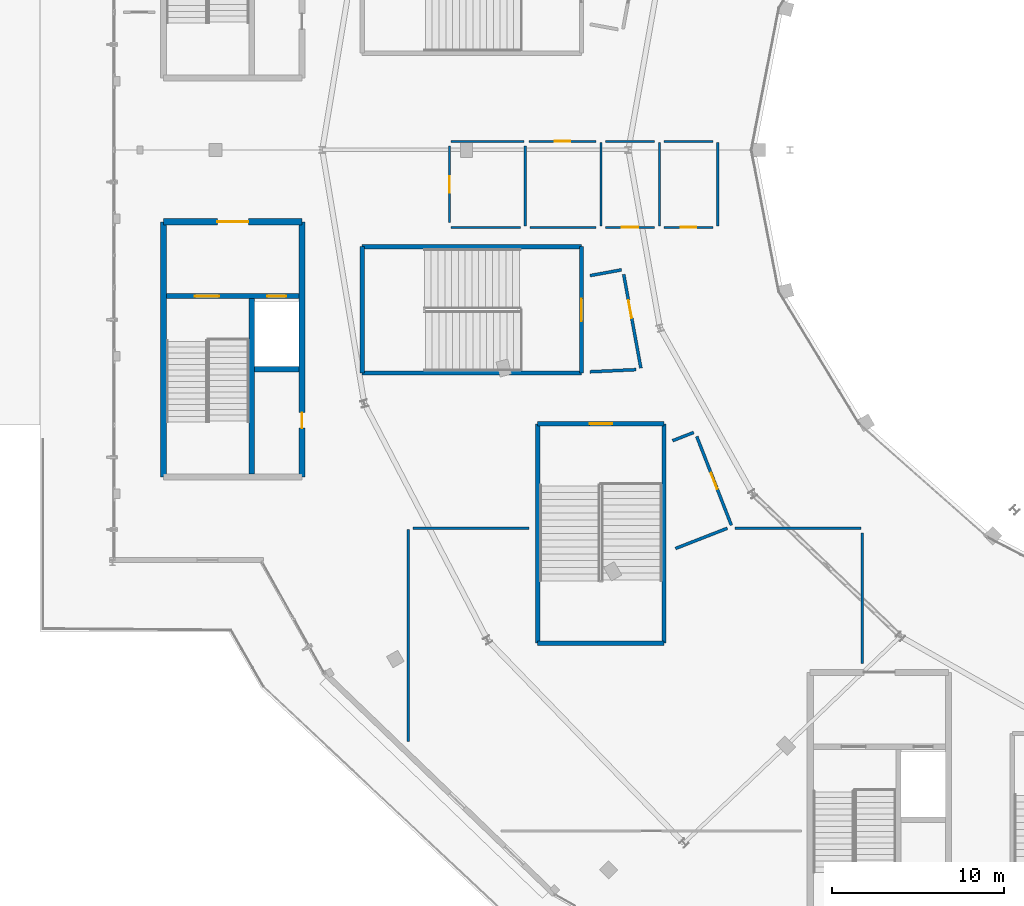
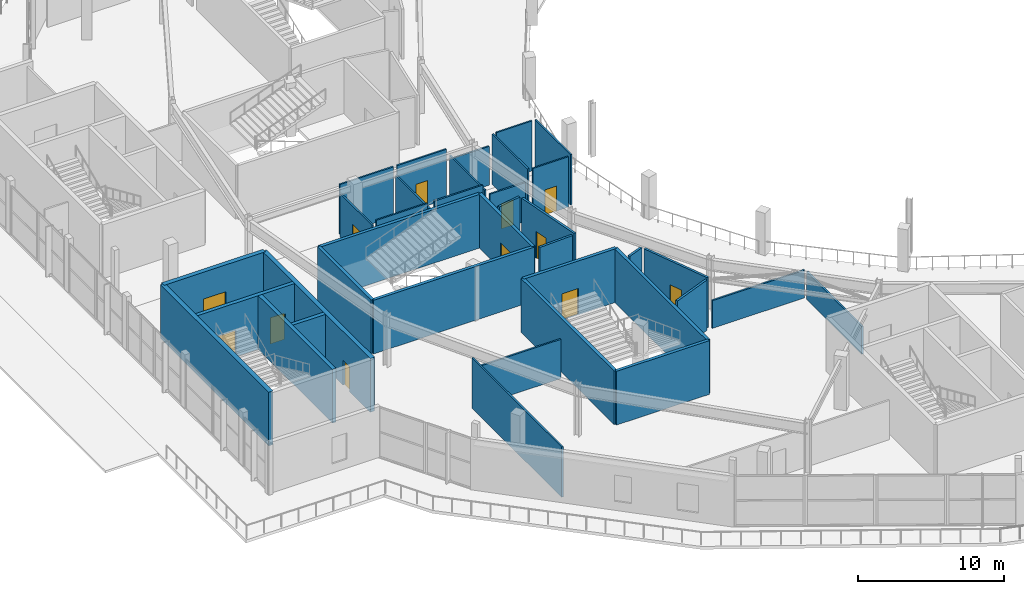
# One storey, part 86 of 123: 37 walls, 12 doors, 12 openings.
"""IFC4 building model written with IfcOpenShell, lengths in metres."""

from ifc_helpers import new_model, si_unit, direction, frame, frame_2d, origin, place, context, subcontext, project, spatial, rectangle, extrude, material, layer, layer_set, type_object, element, fill, save


model = new_model("IFC4")

# Units and contexts
model_context = context("Model", 3, precision=1e-05, world=origin(), true_north=direction((0.0, 1.0)))
body_context = subcontext(model_context, "Body", "Model", "MODEL_VIEW")
ifc_project = project(units=[si_unit("LENGTHUNIT", "METRE"), si_unit("AREAUNIT", "SQUARE_METRE"), si_unit("VOLUMEUNIT", "CUBIC_METRE"), si_unit("PLANEANGLEUNIT", "RADIAN"), si_unit("MASSUNIT", "GRAM", prefix="KILO")], contexts=[model_context])

# Site, building, storey
site_placement = place(None, origin())
site = spatial("IfcSite", under=ifc_project, at=site_placement, CompositionType="ELEMENT")
building_placement = place(site_placement, origin())
building = spatial("IfcBuilding", under=site, at=building_placement, Name="Kalgoora Escarpment Arena", CompositionType="ELEMENT")
storey_placement = place(building_placement, frame((0.0, 0.0, 9.89990234375)))
storey = spatial("IfcBuildingStorey", under=building, at=storey_placement, Name="L02", CompositionType="ELEMENT", Elevation=9.89990234375)

# Wall, opening, door
ifc_material_1 = material(Name="Concrete N50 (fc' 50 MPa)", Category="concrete")
ifc_layer_1 = layer(ifc_material_1, 0.35009765625)
ifc_layer_set_1 = layer_set([ifc_layer_1], Name="WAL-CORE-350")
wall_type_1 = type_object("IfcWallType", Name="WAL-CORE-350", PredefinedType="SHEAR", material=ifc_layer_set_1)
wall_1_placement = place(storey_placement, frame((11.375, 59.824951171875, 0.0), z_axis=(0.0, 0.0, 1.0), x_axis=(1.0, 0.0, 0.0)))
wall_1 = element("IfcWall", 1, at=wall_1_placement, inside=storey, type_object=wall_type_1, Name="Core C2 L02 north lobby wall", PredefinedType="SHEAR", context=body_context, shape_type="SweptSolid", body=[
    extrude(rectangle(XDim=8.050048828125, YDim=0.35009765625, at=frame_2d((4.02490234375, 0.0))), origin(), (0.0, 0.0, 1.0), 4.5),
])
opening_1_placement = place(wall_1_placement, frame((3.125, 0.0, 0.0)))
opening_1 = element("IfcOpeningElement", 2, at=opening_1_placement, cuts=wall_1, Name="Opening FD-C2L", PredefinedType="OPENING", context=body_context, shape_type="SweptSolid", body=[
    extrude(rectangle(XDim=1.800048828125, YDim=2.25, at=frame_2d((0.89990234375, 1.125))), frame((0.0, 0.18505859375, 0.0), z_axis=(0.0, -1.0, 0.0), x_axis=(1.0, 0.0, 0.0)), (0.0, 0.0, 1.0), 0.3701171875),
])
ifc_material_2 = material(Name="Double fire-rated smoke-seal lobby door")
door_type_1 = type_object("IfcDoorType", Name="DR-LOBBY-1800", OperationType="NOTDEFINED", PredefinedType="DOOR", material=ifc_material_2)
door_1_placement = place(opening_1_placement, origin())
door_1 = element("IfcDoor", 3, at=door_1_placement, inside=storey, type_object=door_type_1, Name="Core C2 L02 smoke-lobby fire door", OperationType="DOUBLE_DOOR_SINGLE_SWING", OverallHeight=2.25, OverallWidth=1.800048828125, PredefinedType="DOOR", context=body_context, shape_type="SweptSolid", body=[
    extrude(rectangle(XDim=1.800048828125, YDim=2.25, at=frame_2d((0.89990234375, 1.125))), frame((0.0, 0.02490234375, 0.0), z_axis=(0.0, -1.0, 0.0), x_axis=(1.0, 0.0, 0.0)), (0.0, 0.0, 1.0), 0.050048828125),
])
fill(opening_1, door_1)

# Wall
wall_2_placement = place(storey_placement, frame((11.375, 44.97509765625, 0.0), z_axis=(0.0, 0.0, 1.0), x_axis=(0.0, 1.0, 0.0)))
element("IfcWall", 4, at=wall_2_placement, inside=storey, type_object=wall_type_1, Name="Core C2 L02 west shear wall", PredefinedType="SHEAR", context=body_context, shape_type="SweptSolid", body=[
    extrude(rectangle(XDim=14.849853515625, YDim=0.35009765625, at=frame_2d((7.4248046875, 0.0))), origin(), (0.0, 0.0, 1.0), 4.5),
])

# Wall, opening, door
wall_3_placement = place(storey_placement, frame((19.425048828125, 44.97509765625, 0.0), z_axis=(0.0, 0.0, 1.0), x_axis=(0.0, 1.0, 0.0)))
wall_3 = element("IfcWall", 5, at=wall_3_placement, inside=storey, type_object=wall_type_1, Name="Core C2 L02 east shear wall", PredefinedType="SHEAR", context=body_context, shape_type="SweptSolid", body=[
    extrude(rectangle(XDim=14.849853515625, YDim=0.35009765625, at=frame_2d((7.4248046875, 0.0))), origin(), (0.0, 0.0, 1.0), 4.5),
])
opening_2_placement = place(wall_3_placement, frame((2.85498046875, 0.0, 0.0)))
opening_2 = element("IfcOpeningElement", 6, at=opening_2_placement, cuts=wall_3, Name="Opening FD-C2R", PredefinedType="OPENING", context=body_context, shape_type="SweptSolid", body=[
    extrude(rectangle(XDim=0.89990234375, YDim=2.10009765625, at=frame_2d((0.449951171875, 1.050048828125))), frame((0.0, 0.18505859375, 0.0), z_axis=(0.0, -1.0, 0.0), x_axis=(1.0, 0.0, 0.0)), (0.0, 0.0, 1.0), 0.3701171875),
])
ifc_material_3 = material(Name="Fire-rated steel riser access door", Category="steel")
door_type_2 = type_object("IfcDoorType", Name="DR-RISER-0900", OperationType="NOTDEFINED", PredefinedType="DOOR", material=ifc_material_3)
door_2_placement = place(opening_2_placement, origin())
door_2 = element("IfcDoor", 7, at=door_2_placement, inside=storey, type_object=door_type_2, Name="Core C2 L02 riser cupboard access door", OperationType="SINGLE_SWING_RIGHT", OverallHeight=2.10009765625, OverallWidth=0.89990234375, PredefinedType="DOOR", context=body_context, shape_type="SweptSolid", body=[
    extrude(rectangle(XDim=0.89990234375, YDim=2.10009765625, at=frame_2d((0.449951171875, 1.050048828125))), frame((0.0, 0.02490234375, 0.0), z_axis=(0.0, -1.0, 0.0), x_axis=(1.0, 0.0, 0.0)), (0.0, 0.0, 1.0), 0.050048828125),
])
fill(opening_2, door_2)

# Walls
ifc_material_4 = material(Name="Hospitality acoustic drywall partition", Category="gypsum")
ifc_layer_2 = layer(ifc_material_4, 0.135009765625)
ifc_layer_set_2 = layer_set([ifc_layer_2], Name="WAL-DIN-135")
wall_type_2 = type_object("IfcWallType", Name="WAL-DIN-135", PredefinedType="PARTITIONING", material=ifc_layer_set_2)
wall_4_placement = place(storey_placement, frame((44.595458984375, 42.0, 0.0), z_axis=(0.0, 0.0, 1.0), x_axis=(1.0, 0.0, 0.0)))
element("IfcWall", 8, at=wall_4_placement, inside=storey, type_object=wall_type_2, Name="L02 Goldfields Wine Tasting Room partition wall", PredefinedType="PARTITIONING", context=body_context, shape_type="SweptSolid", body=[
    extrude(rectangle(XDim=7.324462890625, YDim=0.135009765625, at=frame_2d((3.662109375, 0.0))), origin(), (0.0, 0.0, 1.0), 2.322998046875),
])
wall_5_placement = place(storey_placement, frame((52.0, 41.715087890625, 0.0), z_axis=(0.0, 0.0, 1.0), x_axis=(0.0, -1.0, 0.0)))
element("IfcWall", 9, at=wall_5_placement, inside=storey, type_object=wall_type_2, Name="L02 Goldfields Wine Tasting Room partition wall", PredefinedType="PARTITIONING", context=body_context, shape_type="SweptSolid", body=[
    extrude(rectangle(XDim=7.590087890625, YDim=0.135009765625, at=frame_2d((3.794921875, 0.0))), origin(), (0.0, 0.0, 1.0), 2.322998046875),
])
wall_6_placement = place(storey_placement, frame((25.60009765625, 29.596923828125, 0.0), z_axis=(0.0, 0.0, 1.0), x_axis=(0.0, 1.0, 0.0)))
element("IfcWall", 10, at=wall_6_placement, inside=storey, type_object=wall_type_2, Name="L02 Goldfields Wine Tasting Room partition wall", PredefinedType="PARTITIONING", context=body_context, shape_type="SweptSolid", body=[
    extrude(rectangle(XDim=12.322998046875, YDim=0.135009765625, at=frame_2d((6.16162109375, 0.0))), origin(), (0.0, 0.0, 1.0), 4.22021484375),
])
wall_7_placement = place(storey_placement, frame((25.884765625, 42.0, 0.0), z_axis=(0.0, 0.0, 1.0), x_axis=(1.0, 0.0, 0.0)))
element("IfcWall", 11, at=wall_7_placement, inside=storey, type_object=wall_type_2, Name="L02 Goldfields Wine Tasting Room partition wall", PredefinedType="PARTITIONING", context=body_context, shape_type="SweptSolid", body=[
    extrude(rectangle(XDim=6.740234375, YDim=0.135009765625, at=frame_2d((3.3701171875, 0.0))), origin(), (0.0, 0.0, 1.0), 3.28515625),
])

# Wall, openings, doors
ifc_material_5 = material(Name="Concrete N50 (fc' 50 MPa)", Category="concrete")
ifc_layer_3 = layer(ifc_material_5, 0.300048828125)
ifc_layer_set_3 = layer_set([ifc_layer_3], Name="WAL-SHAFT-300")
wall_type_3 = type_object("IfcWallType", Name="WAL-SHAFT-300", PredefinedType="SHEAR", material=ifc_layer_set_3)
wall_8_placement = place(storey_placement, frame((11.550048828125, 55.5, 0.0), z_axis=(0.0, 0.0, 1.0), x_axis=(1.0, 0.0, 0.0)))
wall_8 = element("IfcWall", 12, at=wall_8_placement, inside=storey, type_object=wall_type_3, Name="Core C2 L02 lobby shaft wall", PredefinedType="SHEAR", context=body_context, shape_type="SweptSolid", body=[
    extrude(rectangle(XDim=7.699951171875, YDim=0.300048828125, at=frame_2d((3.85009765625, 0.0))), origin(), (0.0, 0.0, 1.0), 4.5),
])
opening_3_placement = place(wall_8_placement, frame((1.64990234375, 0.0, 0.0)))
opening_3 = element("IfcOpeningElement", 13, at=opening_3_placement, cuts=wall_8, Name="Opening FD-ST02", PredefinedType="OPENING", context=body_context, shape_type="SweptSolid", body=[
    extrude(rectangle(XDim=1.39990234375, YDim=2.199951171875, at=frame_2d((0.699951171875, 1.10009765625))), frame((0.0, 0.159912109375, 0.0), z_axis=(0.0, -1.0, 0.0), x_axis=(1.0, 0.0, 0.0)), (0.0, 0.0, 1.0), 0.320068359375),
])
opening_4_placement = place(wall_8_placement, frame((5.85009765625, 0.0, 0.0)))
opening_4 = element("IfcOpeningElement", 14, at=opening_4_placement, cuts=wall_8, Name="Opening LD-EL2", PredefinedType="OPENING", context=body_context, shape_type="SweptSolid", body=[
    extrude(rectangle(XDim=1.10009765625, YDim=2.199951171875, at=frame_2d((0.550048828125, 1.10009765625))), frame((0.0, 0.159912109375, 0.0), z_axis=(0.0, -1.0, 0.0), x_axis=(1.0, 0.0, 0.0)), (0.0, 0.0, 1.0), 0.320068359375),
])
ifc_material_6 = material(Name="Brushed stainless steel sliding lift landing door", Category="steel")
door_type_3 = type_object("IfcDoorType", Name="DR-LD-EL2", OperationType="SLIDING_TO_LEFT", PredefinedType="DOOR", material=ifc_material_6)
door_3_placement = place(opening_4_placement, origin())
door_3 = element("IfcDoor", 15, at=door_3_placement, inside=storey, type_object=door_type_3, Name="Lift EL2 L02 sliding landing door", OperationType="SLIDING_TO_LEFT", OverallHeight=2.199951171875, OverallWidth=1.10009765625, PredefinedType="DOOR", context=body_context, shape_type="SweptSolid", body=[
    extrude(rectangle(XDim=1.10009765625, YDim=2.199951171875, at=frame_2d((0.550048828125, 1.10009765625))), frame((0.0, 0.02490234375, 0.0), z_axis=(0.0, -1.0, 0.0), x_axis=(1.0, 0.0, 0.0)), (0.0, 0.0, 1.0), 0.050048828125),
])
fill(opening_4, door_3)
ifc_material_7 = material(Name="Fire-rated steel stair leaf with vision panel", Category="steel")
door_type_4 = type_object("IfcDoorType", Name="DR-STAIR-1400", OperationType="NOTDEFINED", PredefinedType="DOOR", material=ifc_material_7)
door_4_placement = place(opening_3_placement, origin())
door_4 = element("IfcDoor", 16, at=door_4_placement, inside=storey, type_object=door_type_4, Name="Fire stair ST02 L02 fire door", OperationType="SINGLE_SWING_LEFT", OverallHeight=2.199951171875, OverallWidth=1.39990234375, PredefinedType="DOOR", context=body_context, shape_type="SweptSolid", body=[
    extrude(rectangle(XDim=1.39990234375, YDim=2.199951171875, at=frame_2d((0.699951171875, 1.10009765625))), frame((0.0, 0.02490234375, 0.0), z_axis=(0.0, -1.0, 0.0), x_axis=(1.0, 0.0, 0.0)), (0.0, 0.0, 1.0), 0.050048828125),
])
fill(opening_3, door_4)

# Walls
wall_9_placement = place(storey_placement, frame((16.5, 45.14990234375, 0.0), z_axis=(0.0, 0.0, 1.0), x_axis=(0.0, 1.0, 0.0)))
element("IfcWall", 17, at=wall_9_placement, inside=storey, type_object=wall_type_3, Name="Core C2 L02 stair-lift spine wall", PredefinedType="SHEAR", context=body_context, shape_type="SweptSolid", body=[
    extrude(rectangle(XDim=10.35009765625, YDim=0.300048828125, at=frame_2d((5.175048828125, 0.0))), origin(), (0.0, 0.0, 1.0), 4.5),
])
wall_10_placement = place(storey_placement, frame((16.64990234375, 51.25, 0.0), z_axis=(0.0, 0.0, 1.0), x_axis=(1.0, 0.0, 0.0)))
element("IfcWall", 18, at=wall_10_placement, inside=storey, type_object=wall_type_3, Name="Core C2 L02 lift-riser divider wall", PredefinedType="SHEAR", context=body_context, shape_type="SweptSolid", body=[
    extrude(rectangle(XDim=2.60009765625, YDim=0.300048828125, at=frame_2d((1.300048828125, 0.0))), origin(), (0.0, 0.0, 1.0), 4.5),
])
ifc_material_8 = material(Name="Concrete N50 (fc' 50 MPa)", Category="concrete")
ifc_layer_4 = layer(ifc_material_8, 0.25)
ifc_layer_set_4 = layer_set([ifc_layer_4], Name="WAL-STAIR-250")
wall_type_4 = type_object("IfcWallType", Name="WAL-STAIR-250", PredefinedType="SHEAR", material=ifc_layer_set_4)
for number, where, z_axis, x_axis, name in (
    (19, (22.925048828125, 51.02490234375, 0.0), (0.0, 0.0, 1.0), (1.0, 0.0, 0.0), "Exit stair ST18 L02 south wall"),
    (20, (22.925048828125, 58.375, 0.0), (0.0, 0.0, 1.0), (1.0, 0.0, 0.0), "Exit stair ST18 L02 north wall"),
):
    element("IfcWall", number, at=place(storey_placement, frame(where, z_axis=z_axis, x_axis=x_axis)), inside=storey, type_object=wall_type_4, Name=name, PredefinedType="SHEAR", context=body_context, shape_type="SweptSolid", body=[
        extrude(rectangle(XDim=12.75, YDim=0.25, at=frame_2d((6.375, 0.0))), origin(), (0.0, 0.0, 1.0), 4.5),
    ])
wall_11_placement = place(storey_placement, frame((22.925048828125, 51.02490234375, 0.0), z_axis=(0.0, 0.0, 1.0), x_axis=(0.0, 1.0, 0.0)))
element("IfcWall", 21, at=wall_11_placement, inside=storey, type_object=wall_type_4, Name="Exit stair ST18 L02 west wall", PredefinedType="SHEAR", context=body_context, shape_type="SweptSolid", body=[
    extrude(rectangle(XDim=7.35009765625, YDim=0.25, at=frame_2d((3.675048828125, 0.0))), origin(), (0.0, 0.0, 1.0), 4.5),
])

# Wall, opening, door
wall_12_placement = place(storey_placement, frame((35.675048828125, 51.02490234375, 0.0), z_axis=(0.0, 0.0, 1.0), x_axis=(0.0, 1.0, 0.0)))
wall_12 = element("IfcWall", 22, at=wall_12_placement, inside=storey, type_object=wall_type_4, Name="Exit stair ST18 L02 east wall", PredefinedType="SHEAR", context=body_context, shape_type="SweptSolid", body=[
    extrude(rectangle(XDim=7.35009765625, YDim=0.25, at=frame_2d((3.675048828125, 0.0))), origin(), (0.0, 0.0, 1.0), 4.5),
])
opening_5_placement = place(wall_12_placement, frame((3.014892578125, 0.0, 0.0)))
opening_5 = element("IfcOpeningElement", 23, at=opening_5_placement, cuts=wall_12, Name="Opening FD-ST18", PredefinedType="OPENING", context=body_context, shape_type="SweptSolid", body=[
    extrude(rectangle(XDim=1.320068359375, YDim=2.199951171875, at=frame_2d((0.66015625, 1.10009765625))), frame((0.0, 0.135009765625, 0.0), z_axis=(0.0, -1.0, 0.0), x_axis=(1.0, 0.0, 0.0)), (0.0, 0.0, 1.0), 0.27001953125),
])
ifc_material_9 = material(Name="Fire-rated steel stair leaf with vision panel", Category="steel")
door_type_5 = type_object("IfcDoorType", Name="DR-STAIR-1320", OperationType="NOTDEFINED", PredefinedType="DOOR", material=ifc_material_9)
door_5_placement = place(opening_5_placement, origin())
door_5 = element("IfcDoor", 24, at=door_5_placement, inside=storey, type_object=door_type_5, Name="Fire-isolated stair ST18 L02 egress door", OperationType="SINGLE_SWING_RIGHT", OverallHeight=2.199951171875, OverallWidth=1.320068359375, PredefinedType="DOOR", context=body_context, shape_type="SweptSolid", body=[
    extrude(rectangle(XDim=1.320068359375, YDim=2.199951171875, at=frame_2d((0.66015625, 1.10009765625))), frame((0.0, 0.02490234375, 0.0), z_axis=(0.0, -1.0, 0.0), x_axis=(1.0, 0.0, 0.0)), (0.0, 0.0, 1.0), 0.050048828125),
])
fill(opening_5, door_5)

# Wall
wall_13_placement = place(storey_placement, frame((33.125, 35.324951171875, 0.0), z_axis=(0.0, 0.0, 1.0), x_axis=(1.0, 0.0, 0.0)))
element("IfcWall", 25, at=wall_13_placement, inside=storey, type_object=wall_type_4, Name="Exit stair ST20 L02 south wall", PredefinedType="SHEAR", context=body_context, shape_type="SweptSolid", body=[
    extrude(rectangle(XDim=7.35009765625, YDim=0.25, at=frame_2d((3.675048828125, 0.0))), origin(), (0.0, 0.0, 1.0), 4.5),
])

# Wall, opening, door
wall_14_placement = place(storey_placement, frame((33.125, 48.074951171875, 0.0), z_axis=(0.0, 0.0, 1.0), x_axis=(1.0, 0.0, 0.0)))
wall_14 = element("IfcWall", 26, at=wall_14_placement, inside=storey, type_object=wall_type_4, Name="Exit stair ST20 L02 north wall", PredefinedType="SHEAR", context=body_context, shape_type="SweptSolid", body=[
    extrude(rectangle(XDim=7.35009765625, YDim=0.25, at=frame_2d((3.675048828125, 0.0))), origin(), (0.0, 0.0, 1.0), 4.5),
])
opening_6_placement = place(wall_14_placement, frame((3.014892578125, 0.0, 0.0)))
opening_6 = element("IfcOpeningElement", 27, at=opening_6_placement, cuts=wall_14, Name="Opening FD-ST20", PredefinedType="OPENING", context=body_context, shape_type="SweptSolid", body=[
    extrude(rectangle(XDim=1.320068359375, YDim=2.199951171875, at=frame_2d((0.66015625, 1.10009765625))), frame((0.0, 0.135009765625, 0.0), z_axis=(0.0, -1.0, 0.0), x_axis=(1.0, 0.0, 0.0)), (0.0, 0.0, 1.0), 0.27001953125),
])
door_6_placement = place(opening_6_placement, origin())
door_6 = element("IfcDoor", 28, at=door_6_placement, inside=storey, type_object=door_type_5, Name="Fire-isolated stair ST20 L02 egress door", OperationType="SINGLE_SWING_RIGHT", OverallHeight=2.199951171875, OverallWidth=1.320068359375, PredefinedType="DOOR", context=body_context, shape_type="SweptSolid", body=[
    extrude(rectangle(XDim=1.320068359375, YDim=2.199951171875, at=frame_2d((0.66015625, 1.10009765625))), frame((0.0, 0.02490234375, 0.0), z_axis=(0.0, -1.0, 0.0), x_axis=(1.0, 0.0, 0.0)), (0.0, 0.0, 1.0), 0.050048828125),
])
fill(opening_6, door_6)

# Walls
for number, where, z_axis, x_axis, name in (
    (29, (33.125, 35.324951171875, 0.0), (0.0, 0.0, 1.0), (0.0, 1.0, 0.0), "Exit stair ST20 L02 west wall"),
    (30, (40.47509765625, 35.324951171875, 0.0), (0.0, 0.0, 1.0), (0.0, 1.0, 0.0), "Exit stair ST20 L02 east wall"),
):
    element("IfcWall", number, at=place(storey_placement, frame(where, z_axis=z_axis, x_axis=x_axis)), inside=storey, type_object=wall_type_4, Name=name, PredefinedType="SHEAR", context=body_context, shape_type="SweptSolid", body=[
        extrude(rectangle(XDim=12.75, YDim=0.25, at=frame_2d((6.375, 0.0))), origin(), (0.0, 0.0, 1.0), 4.5),
    ])
ifc_material_10 = material(Name="Twin-stud acoustic plasterboard FRL -/60/60", Category="gypsum")
ifc_layer_5 = layer(ifc_material_10, 0.175048828125)
ifc_layer_set_5 = layer_set([ifc_layer_5], Name="WAL-SUITE-175")
wall_type_5 = type_object("IfcWallType", Name="WAL-SUITE-175", PredefinedType="PARTITIONING", material=ifc_layer_set_5)
wall_15_placement = place(storey_placement, frame((36.173583984375, 56.69287109375, 0.0), z_axis=(0.0, 0.0, 1.0), x_axis=(0.983605779692, 0.180332110719, 0.0)))
element("IfcWall", 31, at=wall_15_placement, inside=storey, type_object=wall_type_5, Name="L02 Hospitality Suite HS11 partition wall", PredefinedType="PARTITIONING", context=body_context, shape_type="SweptSolid", body=[
    extrude(rectangle(XDim=1.856201171875, YDim=0.175048828125, at=frame_2d((0.92822265625, 0.0))), origin(), (0.0, 0.0, 1.0), 4.22021484375),
])

# Wall, opening, door
wall_16_placement = place(storey_placement, frame((38.129150390625, 56.76171875, 0.0), z_axis=(0.0, 0.0, 1.0), x_axis=(0.180305821673, -0.983610599104, 0.0)))
wall_16 = element("IfcWall", 32, at=wall_16_placement, inside=storey, type_object=wall_type_5, Name="L02 Hospitality Suite HS11 partition wall", PredefinedType="PARTITIONING", context=body_context, shape_type="SweptSolid", body=[
    extrude(rectangle(XDim=5.535400390625, YDim=0.175048828125, at=frame_2d((2.767578125, 0.0))), origin(), (0.0, 0.0, 1.0), 4.22021484375),
])
opening_7_placement = place(wall_16_placement, frame((1.52490234375, 0.0, 0.0)))
opening_7 = element("IfcOpeningElement", 33, at=opening_7_placement, cuts=wall_16, Name="Opening FD-I086", PredefinedType="OPENING", context=body_context, shape_type="SweptSolid", body=[
    extrude(rectangle(XDim=1.050048828125, YDim=2.25, at=frame_2d((0.52490234375, 1.125))), frame((0.0, 0.097412109375, 0.0), z_axis=(0.0, -1.0, 0.0), x_axis=(1.0, 0.0, 0.0)), (0.0, 0.0, 1.0), 0.195068359375),
])
ifc_material_11 = material(Name="Veneered timber acoustic suite entrance door", Category="wood")
door_type_6 = type_object("IfcDoorType", Name="DR-SUITE-1050", OperationType="NOTDEFINED", PredefinedType="DOOR", material=ifc_material_11)
door_7_placement = place(opening_7_placement, origin())
door_7 = element("IfcDoor", 34, at=door_7_placement, inside=storey, type_object=door_type_6, Name="Hospitality Suite HS11 entrance door", OperationType="SINGLE_SWING_RIGHT", OverallHeight=2.25, OverallWidth=1.050048828125, PredefinedType="DOOR", context=body_context, shape_type="SweptSolid", body=[
    extrude(rectangle(XDim=1.050048828125, YDim=2.25, at=frame_2d((0.52490234375, 1.125))), frame((0.0, 0.02490234375, 0.0), z_axis=(0.0, -1.0, 0.0), x_axis=(1.0, 0.0, 0.0)), (0.0, 0.0, 1.0), 0.050048828125),
])
fill(opening_7, door_7)

# Walls
wall_17_placement = place(storey_placement, frame((38.84619140625, 51.224853515625, 0.0), z_axis=(0.0, 0.0, 1.0), x_axis=(-0.998919790454, -0.046467754829, 0.0)))
element("IfcWall", 35, at=wall_17_placement, inside=storey, type_object=wall_type_5, Name="L02 Hospitality Suite HS11 partition wall", PredefinedType="PARTITIONING", context=body_context, shape_type="SweptSolid", body=[
    extrude(rectangle(XDim=2.67431640625, YDim=0.175048828125, at=frame_2d((1.337158203125, 0.0))), origin(), (0.0, 0.0, 1.0), 4.22021484375),
])
wall_18_placement = place(storey_placement, frame((40.969482421875, 47.0927734375, 0.0), z_axis=(0.0, 0.0, 1.0), x_axis=(0.931545516187, 0.363624739632, 0.0)))
element("IfcWall", 36, at=wall_18_placement, inside=storey, type_object=wall_type_5, Name="L02 Hospitality Suite HS12 partition wall", PredefinedType="PARTITIONING", context=body_context, shape_type="SweptSolid", body=[
    extrude(rectangle(XDim=1.3193359375, YDim=0.175048828125, at=frame_2d((0.65966796875, 0.0))), origin(), (0.0, 0.0, 1.0), 4.22021484375),
])

# Wall, opening, door
wall_19_placement = place(storey_placement, frame((42.376708984375, 47.336181640625, 0.0), z_axis=(0.0, 0.0, 1.0), x_axis=(0.363567692335, -0.931567782338, 0.0)))
wall_19 = element("IfcWall", 37, at=wall_19_placement, inside=storey, type_object=wall_type_5, Name="L02 Hospitality Suite HS12 partition wall", PredefinedType="PARTITIONING", context=body_context, shape_type="SweptSolid", body=[
    extrude(rectangle(XDim=5.535400390625, YDim=0.175048828125, at=frame_2d((2.767578125, 0.0))), origin(), (0.0, 0.0, 1.0), 4.22021484375),
])
opening_8_placement = place(wall_19_placement, frame((2.267578125, 0.0, 0.0)))
opening_8 = element("IfcOpeningElement", 38, at=opening_8_placement, cuts=wall_19, Name="Opening FD-I087", PredefinedType="OPENING", context=body_context, shape_type="SweptSolid", body=[
    extrude(rectangle(XDim=1.0, YDim=2.199951171875, at=frame_2d((0.5, 1.10009765625))), frame((0.0, 0.097412109375, 0.0), z_axis=(0.0, -1.0, 0.0), x_axis=(1.0, 0.0, 0.0)), (0.0, 0.0, 1.0), 0.195068359375),
])
ifc_material_12 = material(Name="Veneered timber acoustic suite entrance door", Category="wood")
door_type_7 = type_object("IfcDoorType", Name="DR-SUITE-1000", OperationType="NOTDEFINED", PredefinedType="DOOR", material=ifc_material_12)
door_8_placement = place(opening_8_placement, origin())
door_8 = element("IfcDoor", 39, at=door_8_placement, inside=storey, type_object=door_type_7, Name="Hospitality Suite HS12 entrance door", OperationType="SINGLE_SWING_LEFT", OverallHeight=2.199951171875, OverallWidth=1.0, PredefinedType="DOOR", context=body_context, shape_type="SweptSolid", body=[
    extrude(rectangle(XDim=1.0, YDim=2.199951171875, at=frame_2d((0.5, 1.10009765625))), frame((0.0, 0.02490234375, 0.0), z_axis=(0.0, -1.0, 0.0), x_axis=(1.0, 0.0, 0.0)), (0.0, 0.0, 1.0), 0.050048828125),
])
fill(opening_8, door_8)

# Walls
wall_20_placement = place(storey_placement, frame((44.153076171875, 42.001708984375, 0.0), z_axis=(0.0, 0.0, 1.0), x_axis=(-0.931566399229, -0.363571236248, 0.0)))
element("IfcWall", 40, at=wall_20_placement, inside=storey, type_object=wall_type_5, Name="L02 Hospitality Suite HS12 partition wall", PredefinedType="PARTITIONING", context=body_context, shape_type="SweptSolid", body=[
    extrude(rectangle(XDim=3.2353515625, YDim=0.175048828125, at=frame_2d((1.61767578125, 0.0))), origin(), (0.0, 0.0, 1.0), 4.22021484375),
])
ifc_material_13 = material(Name="Moisture-resistant wet-area partition", Category="gypsum")
ifc_layer_6 = layer(ifc_material_13, 0.125)
ifc_layer_set_6 = layer_set([ifc_layer_6], Name="WAL-WC-125")
wall_type_6 = type_object("IfcWallType", Name="WAL-WC-125", PredefinedType="PARTITIONING", material=ifc_layer_set_6)
wall_21_placement = place(storey_placement, frame((28.080078125, 64.5, 0.0), z_axis=(0.0, 0.0, 1.0), x_axis=(1.0, 0.0, 0.0)))
element("IfcWall", 41, at=wall_21_placement, inside=storey, type_object=wall_type_6, Name="L02 Male WC 1 partition wall", PredefinedType="PARTITIONING", context=body_context, shape_type="SweptSolid", body=[
    extrude(rectangle(XDim=4.239990234375, YDim=0.125, at=frame_2d((2.1201171875, 0.0))), origin(), (0.0, 0.0, 1.0), 4.190185546875),
])
wall_22_placement = place(storey_placement, frame((32.39990234375, 64.215087890625, 0.0), z_axis=(0.0, 0.0, 1.0), x_axis=(0.0, -1.0, 0.0)))
element("IfcWall", 42, at=wall_22_placement, inside=storey, type_object=wall_type_6, Name="L02 Male WC 1 partition wall", PredefinedType="PARTITIONING", context=body_context, shape_type="SweptSolid", body=[
    extrude(rectangle(XDim=4.635009765625, YDim=0.125, at=frame_2d((2.3173828125, 0.0))), origin(), (0.0, 0.0, 1.0), 3.63720703125),
])
wall_23_placement = place(storey_placement, frame((32.115234375, 59.5, 0.0), z_axis=(0.0, 0.0, 1.0), x_axis=(-1.0, 0.0, 0.0)))
element("IfcWall", 43, at=wall_23_placement, inside=storey, type_object=wall_type_6, Name="L02 Male WC 1 partition wall", PredefinedType="PARTITIONING", context=body_context, shape_type="SweptSolid", body=[
    extrude(rectangle(XDim=4.03515625, YDim=0.125, at=frame_2d((2.017578125, 0.0))), origin(), (0.0, 0.0, 1.0), 4.22021484375),
])

# Wall, opening, door
wall_24_placement = place(storey_placement, frame((28.0, 59.784912109375, 0.0), z_axis=(0.0, 0.0, 1.0), x_axis=(0.0, 1.0, 0.0)))
wall_24 = element("IfcWall", 44, at=wall_24_placement, inside=storey, type_object=wall_type_6, Name="L02 Male WC 1 partition wall", PredefinedType="PARTITIONING", context=body_context, shape_type="SweptSolid", body=[
    extrude(rectangle(XDim=4.43017578125, YDim=0.125, at=frame_2d((2.215087890625, 0.0))), origin(), (0.0, 0.0, 1.0), 3.63720703125),
])
opening_9_placement = place(wall_24_placement, frame((1.740234375, 0.0, 0.0)))
opening_9 = element("IfcOpeningElement", 45, at=opening_9_placement, cuts=wall_24, Name="Opening D-I070", PredefinedType="OPENING", context=body_context, shape_type="SweptSolid", body=[
    extrude(rectangle(XDim=0.949951171875, YDim=2.10009765625, at=frame_2d((0.47509765625, 1.050048828125))), frame((0.0, 0.072509765625, 0.0), z_axis=(0.0, -1.0, 0.0), x_axis=(1.0, 0.0, 0.0)), (0.0, 0.0, 1.0), 0.14501953125),
])
ifc_material_14 = material(Name="Moisture-resistant laminate accessible WC door")
door_type_8 = type_object("IfcDoorType", Name="DR-WC-0950", OperationType="NOTDEFINED", PredefinedType="DOOR", material=ifc_material_14)
door_9_placement = place(opening_9_placement, origin())
door_9 = element("IfcDoor", 46, at=door_9_placement, inside=storey, type_object=door_type_8, Name="Male WC 1 entrance door", OperationType="SINGLE_SWING_RIGHT", OverallHeight=2.10009765625, OverallWidth=0.949951171875, PredefinedType="DOOR", context=body_context, shape_type="SweptSolid", body=[
    extrude(rectangle(XDim=0.949951171875, YDim=2.10009765625, at=frame_2d((0.47509765625, 1.050048828125))), frame((0.0, 0.02490234375, 0.0), z_axis=(0.0, -1.0, 0.0), x_axis=(1.0, 0.0, 0.0)), (0.0, 0.0, 1.0), 0.050048828125),
])
fill(opening_9, door_9)

# Walls
wall_25_placement = place(storey_placement, frame((36.800048828125, 64.419921875, 0.0), z_axis=(0.0, 0.0, 1.0), x_axis=(0.0, -1.0, 0.0)))
element("IfcWall", 47, at=wall_25_placement, inside=storey, type_object=wall_type_6, Name="L02 Female WC 1 partition wall", PredefinedType="PARTITIONING", context=body_context, shape_type="SweptSolid", body=[
    extrude(rectangle(XDim=4.83984375, YDim=0.125, at=frame_2d((2.419921875, 0.0))), origin(), (0.0, 0.0, 1.0), 3.63720703125),
])
wall_26_placement = place(storey_placement, frame((36.51513671875, 59.5, 0.0), z_axis=(0.0, 0.0, 1.0), x_axis=(-1.0, 0.0, 0.0)))
element("IfcWall", 48, at=wall_26_placement, inside=storey, type_object=wall_type_6, Name="L02 Female WC 1 partition wall", PredefinedType="PARTITIONING", context=body_context, shape_type="SweptSolid", body=[
    extrude(rectangle(XDim=3.830322265625, YDim=0.125, at=frame_2d((1.9150390625, 0.0))), origin(), (0.0, 0.0, 1.0), 4.22021484375),
])

# Wall, opening, door
wall_27_placement = place(storey_placement, frame((32.6201171875, 64.5, 0.0), z_axis=(0.0, 0.0, 1.0), x_axis=(1.0, 0.0, 0.0)))
wall_27 = element("IfcWall", 49, at=wall_27_placement, inside=storey, type_object=wall_type_6, Name="L02 Female WC 1 partition wall", PredefinedType="PARTITIONING", context=body_context, shape_type="SweptSolid", body=[
    extrude(rectangle(XDim=3.89501953125, YDim=0.125, at=frame_2d((1.947509765625, 0.0))), origin(), (0.0, 0.0, 1.0), 4.190185546875),
])
opening_10_placement = place(wall_27_placement, frame((1.487548828125, 0.0, 0.0)))
opening_10 = element("IfcOpeningElement", 50, at=opening_10_placement, cuts=wall_27, Name="Opening D-I071", PredefinedType="OPENING", context=body_context, shape_type="SweptSolid", body=[
    extrude(rectangle(XDim=0.919921875, YDim=2.10009765625, at=frame_2d((0.4599609375, 1.050048828125))), frame((0.0, 0.072509765625, 0.0), z_axis=(0.0, -1.0, 0.0), x_axis=(1.0, 0.0, 0.0)), (0.0, 0.0, 1.0), 0.14501953125),
])
ifc_material_15 = material(Name="Moisture-resistant laminate WC door")
door_type_9 = type_object("IfcDoorType", Name="DR-WC-0920", OperationType="NOTDEFINED", PredefinedType="DOOR", material=ifc_material_15)
door_10_placement = place(opening_10_placement, origin())
door_10 = element("IfcDoor", 51, at=door_10_placement, inside=storey, type_object=door_type_9, Name="Female WC 1 entrance door", OperationType="SINGLE_SWING_LEFT", OverallHeight=2.10009765625, OverallWidth=0.919921875, PredefinedType="DOOR", context=body_context, shape_type="SweptSolid", body=[
    extrude(rectangle(XDim=0.919921875, YDim=2.10009765625, at=frame_2d((0.4599609375, 1.050048828125))), frame((0.0, 0.02490234375, 0.0), z_axis=(0.0, -1.0, 0.0), x_axis=(1.0, 0.0, 0.0)), (0.0, 0.0, 1.0), 0.050048828125),
])
fill(opening_10, door_10)

# Wall
wall_28_placement = place(storey_placement, frame((40.199951171875, 64.419921875, 0.0), z_axis=(0.0, 0.0, 1.0), x_axis=(0.0, -1.0, 0.0)))
element("IfcWall", 52, at=wall_28_placement, inside=storey, type_object=wall_type_6, Name="L02 Accessible WC 1 partition wall", PredefinedType="PARTITIONING", context=body_context, shape_type="SweptSolid", body=[
    extrude(rectangle(XDim=4.83984375, YDim=0.125, at=frame_2d((2.419921875, 0.0))), origin(), (0.0, 0.0, 1.0), 4.22021484375),
])

# Wall, opening, door
wall_29_placement = place(storey_placement, frame((39.915283203125, 59.5, 0.0), z_axis=(0.0, 0.0, 1.0), x_axis=(-1.0, 0.0, 0.0)))
wall_29 = element("IfcWall", 53, at=wall_29_placement, inside=storey, type_object=wall_type_6, Name="L02 Accessible WC 1 partition wall", PredefinedType="PARTITIONING", context=body_context, shape_type="SweptSolid", body=[
    extrude(rectangle(XDim=2.83056640625, YDim=0.125, at=frame_2d((1.415283203125, 0.0))), origin(), (0.0, 0.0, 1.0), 3.255126953125),
])
opening_11_placement = place(wall_29_placement, frame((0.940185546875, 0.0, 0.0)))
opening_11 = element("IfcOpeningElement", 54, at=opening_11_placement, cuts=wall_29, Name="Opening D-I072", PredefinedType="OPENING", context=body_context, shape_type="SweptSolid", body=[
    extrude(rectangle(XDim=0.949951171875, YDim=2.10009765625, at=frame_2d((0.47509765625, 1.050048828125))), frame((0.0, 0.072509765625, 0.0), z_axis=(0.0, -1.0, 0.0), x_axis=(1.0, 0.0, 0.0)), (0.0, 0.0, 1.0), 0.14501953125),
])
door_11_placement = place(opening_11_placement, origin())
door_11 = element("IfcDoor", 55, at=door_11_placement, inside=storey, type_object=door_type_8, Name="Accessible WC 1 entrance door", OperationType="SINGLE_SWING_RIGHT", OverallHeight=2.10009765625, OverallWidth=0.949951171875, PredefinedType="DOOR", context=body_context, shape_type="SweptSolid", body=[
    extrude(rectangle(XDim=0.949951171875, YDim=2.10009765625, at=frame_2d((0.47509765625, 1.050048828125))), frame((0.0, 0.02490234375, 0.0), z_axis=(0.0, -1.0, 0.0), x_axis=(1.0, 0.0, 0.0)), (0.0, 0.0, 1.0), 0.050048828125),
])
fill(opening_11, door_11)

# Walls
wall_30_placement = place(storey_placement, frame((37.084716796875, 64.5, 0.0), z_axis=(0.0, 0.0, 1.0), x_axis=(1.0, 0.0, 0.0)))
element("IfcWall", 56, at=wall_30_placement, inside=storey, type_object=wall_type_6, Name="L02 Accessible WC 1 partition wall", PredefinedType="PARTITIONING", context=body_context, shape_type="SweptSolid", body=[
    extrude(rectangle(XDim=2.83056640625, YDim=0.125, at=frame_2d((1.415283203125, 0.0))), origin(), (0.0, 0.0, 1.0), 3.255126953125),
])
wall_31_placement = place(storey_placement, frame((43.60009765625, 64.419921875, 0.0), z_axis=(0.0, 0.0, 1.0), x_axis=(0.0, -1.0, 0.0)))
element("IfcWall", 57, at=wall_31_placement, inside=storey, type_object=wall_type_6, Name="L02 Staff WC 1 partition wall", PredefinedType="PARTITIONING", context=body_context, shape_type="SweptSolid", body=[
    extrude(rectangle(XDim=4.83984375, YDim=0.125, at=frame_2d((2.419921875, 0.0))), origin(), (0.0, 0.0, 1.0), 4.22021484375),
])

# Wall, opening, door
wall_32_placement = place(storey_placement, frame((43.315185546875, 59.5, 0.0), z_axis=(0.0, 0.0, 1.0), x_axis=(-1.0, 0.0, 0.0)))
wall_32 = element("IfcWall", 58, at=wall_32_placement, inside=storey, type_object=wall_type_6, Name="L02 Staff WC 1 partition wall", PredefinedType="PARTITIONING", context=body_context, shape_type="SweptSolid", body=[
    extrude(rectangle(XDim=2.830322265625, YDim=0.125, at=frame_2d((1.4150390625, 0.0))), origin(), (0.0, 0.0, 1.0), 4.22021484375),
])
opening_12_placement = place(wall_32_placement, frame((0.955078125, 0.0, 0.0)))
opening_12 = element("IfcOpeningElement", 59, at=opening_12_placement, cuts=wall_32, Name="Opening D-I073", PredefinedType="OPENING", context=body_context, shape_type="SweptSolid", body=[
    extrude(rectangle(XDim=0.919921875, YDim=2.10009765625, at=frame_2d((0.4599609375, 1.050048828125))), frame((0.0, 0.072509765625, 0.0), z_axis=(0.0, -1.0, 0.0), x_axis=(1.0, 0.0, 0.0)), (0.0, 0.0, 1.0), 0.14501953125),
])
door_12_placement = place(opening_12_placement, origin())
door_12 = element("IfcDoor", 60, at=door_12_placement, inside=storey, type_object=door_type_9, Name="Staff WC 1 entrance door", OperationType="SINGLE_SWING_LEFT", OverallHeight=2.10009765625, OverallWidth=0.919921875, PredefinedType="DOOR", context=body_context, shape_type="SweptSolid", body=[
    extrude(rectangle(XDim=0.919921875, YDim=2.10009765625, at=frame_2d((0.4599609375, 1.050048828125))), frame((0.0, 0.02490234375, 0.0), z_axis=(0.0, -1.0, 0.0), x_axis=(1.0, 0.0, 0.0)), (0.0, 0.0, 1.0), 0.050048828125),
])
fill(opening_12, door_12)

# Wall
wall_33_placement = place(storey_placement, frame((40.48486328125, 64.5, 0.0), z_axis=(0.0, 0.0, 1.0), x_axis=(1.0, 0.0, 0.0)))
element("IfcWall", 61, at=wall_33_placement, inside=storey, type_object=wall_type_6, Name="L02 Staff WC 1 partition wall", PredefinedType="PARTITIONING", context=body_context, shape_type="SweptSolid", body=[
    extrude(rectangle(XDim=2.830322265625, YDim=0.125, at=frame_2d((1.4150390625, 0.0))), origin(), (0.0, 0.0, 1.0), 4.190185546875),
])

save(model, "model.ifc")
